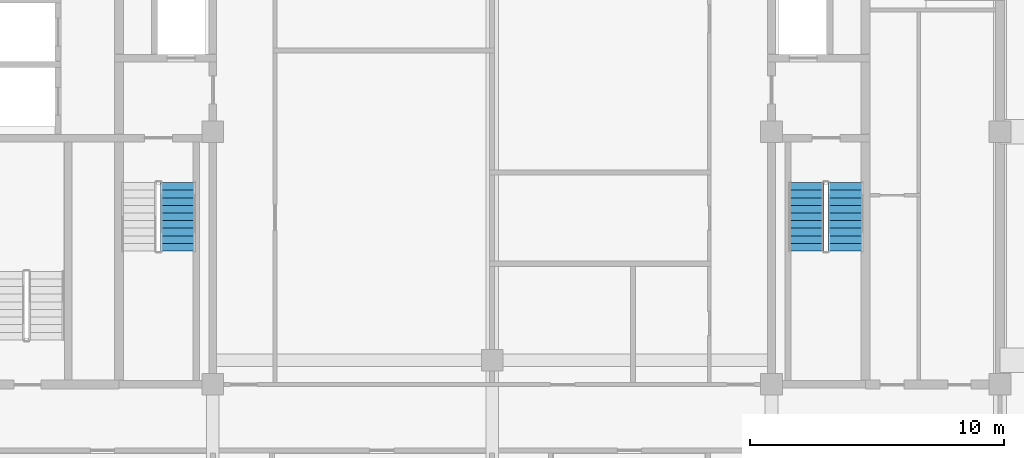
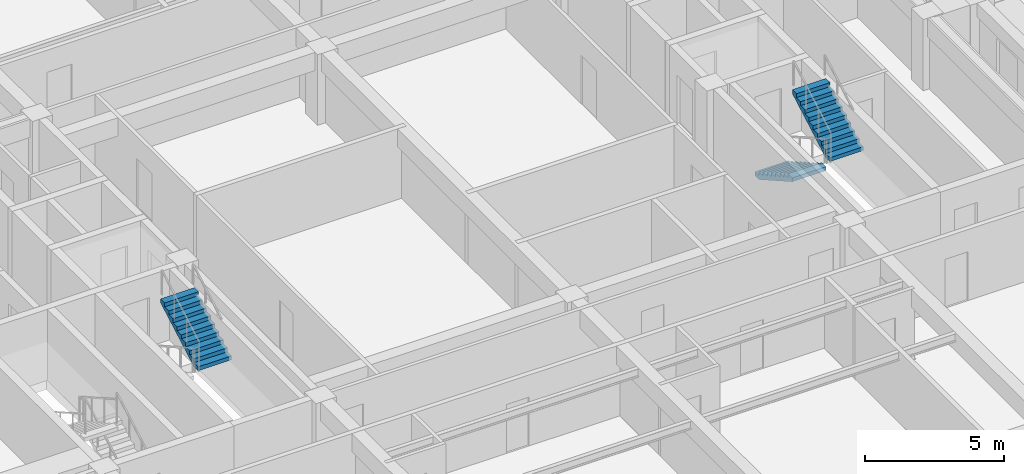
# One storey, part 11 of 18: 3 stair flights, 2 elements without a shape of their own.
"""IFC4 building model written with IfcOpenShell, lengths in metres."""

from ifc_helpers import new_model, si_unit, direction, frame, origin, place, context, subcontext, project, spatial, polyline, outline, extrude, material, layer, layer_set, type_object, element, aggregate, save


model = new_model("IFC4")

# Units and contexts
model_context = context("Model", 3, precision=1e-05, world=origin(), true_north=direction((0.0, 1.0)))
body_context = subcontext(model_context, "Body", "Model", "MODEL_VIEW")
ifc_project = project(units=[si_unit("LENGTHUNIT", "METRE"), si_unit("AREAUNIT", "SQUARE_METRE"), si_unit("VOLUMEUNIT", "CUBIC_METRE"), si_unit("PLANEANGLEUNIT", "RADIAN"), si_unit("MASSUNIT", "GRAM", prefix="KILO")], contexts=[model_context])

# Site, building, storey
site_placement = place(None, origin())
site = spatial("IfcSite", under=ifc_project, at=site_placement, CompositionType="ELEMENT")
building_placement = place(site_placement, origin())
building = spatial("IfcBuilding", under=site, at=building_placement, Name="Zulmaris Gate Convention Tower", CompositionType="ELEMENT")
storey_placement = place(building_placement, frame((0.0, 0.0, 191.4599609375)))
storey = spatial("IfcBuildingStorey", under=building, at=storey_placement, Name="L49", CompositionType="ELEMENT", Elevation=191.4599609375)

# Stair, stair flight
ifc_material = material(Name="Concrete C45/55", Category="concrete")
stair_type = type_object("IfcStairType", Name="ST-CORE-DOGLEG", PredefinedType="HALF_TURN_STAIR", material=ifc_material)
stair_1_placement = place(storey_placement, origin())
stair_1 = element("IfcStair", 1, at=stair_1_placement, inside=storey, type_object=stair_type, Name="L49 Core Exit Stair ST-1", PredefinedType="HALF_TURN_STAIR")
ifc_layer = layer(ifc_material, 0.14990234375, Name="Concrete C45/55")
ifc_layer_set = layer_set([ifc_layer], Name="Concrete C45/55")
stair_flight_type = type_object("IfcStairFlightType", Name="STF-RC150", PredefinedType="STRAIGHT", material=ifc_layer_set)
stair_flight_1_placement = place(storey_placement, frame((-12.360107421875, -4.699951171875, 1.699951171875), z_axis=(0.0, 0.0, 1.0), x_axis=(0.0, 1.0, 0.0)))
stair_flight_1 = element("IfcStairFlight", 2, at=stair_flight_1_placement, type_object=stair_flight_type, Name="ST-1 flight 2", NumberOfRisers=10, NumberOfTreads=9, PredefinedType="STRAIGHT", RiserHeight=0.169995, TreadLength=0.3, context=body_context, shape_type="SweptSolid", body=[
    extrude(outline(polyline([(0.0, 0.0), (0.0, 0.169921875), (0.300048828125, 0.169921875), (0.300048828125, 0.340087890625), (0.60009765625, 0.340087890625), (0.60009765625, 0.510009765625), (0.89990234375, 0.510009765625), (0.89990234375, 0.679931640625), (1.199951171875, 0.679931640625), (1.199951171875, 0.849853515625), (1.5, 0.849853515625), (1.5, 1.02001953125), (1.800048828125, 1.02001953125), (1.800048828125, 1.18994140625), (2.10009765625, 1.18994140625), (2.10009765625, 1.35986328125), (2.39990234375, 1.35986328125), (2.39990234375, 1.530029296875), (2.699951171875, 1.530029296875), (2.699951171875, 1.699951171875), (2.699951171875, 1.357666015625), (0.303955078125, 0.0), (0.0, 0.0)])), frame((0.0, 0.699951171875, 0.0), z_axis=(0.0, -1.0, 0.0), x_axis=(1.0, 0.0, 0.0)), (0.0, 0.0, 1.0), 1.39990234375),
])
aggregate(stair_1, [stair_flight_1])

# Stair, stair flights
stair_2_placement = place(storey_placement, origin())
stair_2 = element("IfcStair", 3, at=stair_2_placement, inside=storey, type_object=stair_type, Name="L49 Core Exit Stair ST-2", PredefinedType="HALF_TURN_STAIR")
stair_flight_2_placement = place(storey_placement, frame((12.360107421875, -2.0, 0.0), z_axis=(0.0, 0.0, 1.0), x_axis=(0.0, -1.0, 0.0)))
stair_flight_2 = element("IfcStairFlight", 4, at=stair_flight_2_placement, type_object=stair_flight_type, Name="ST-2 flight 1", NumberOfRisers=10, NumberOfTreads=9, PredefinedType="STRAIGHT", RiserHeight=0.169995, TreadLength=0.3, context=body_context, shape_type="SweptSolid", body=[
    extrude(outline(polyline([(0.0, 0.0), (0.0, 0.169921875), (0.300048828125, 0.169921875), (0.300048828125, 0.340087890625), (0.60009765625, 0.340087890625), (0.60009765625, 0.510009765625), (0.89990234375, 0.510009765625), (0.89990234375, 0.679931640625), (1.199951171875, 0.679931640625), (1.199951171875, 0.849853515625), (1.5, 0.849853515625), (1.5, 1.02001953125), (1.800048828125, 1.02001953125), (1.800048828125, 1.18994140625), (2.10009765625, 1.18994140625), (2.10009765625, 1.35986328125), (2.39990234375, 1.35986328125), (2.39990234375, 1.530029296875), (2.699951171875, 1.530029296875), (2.699951171875, 1.699951171875), (2.699951171875, 1.357666015625), (0.303955078125, 0.0), (0.0, 0.0)])), frame((0.0, 0.699951171875, 0.0), z_axis=(0.0, -1.0, 0.0), x_axis=(1.0, 0.0, 0.0)), (0.0, 0.0, 1.0), 1.39990234375),
])
stair_flight_3_placement = place(storey_placement, frame((13.919921875, -4.699951171875, 1.699951171875), z_axis=(0.0, 0.0, 1.0), x_axis=(0.0, 1.0, 0.0)))
stair_flight_3 = element("IfcStairFlight", 5, at=stair_flight_3_placement, type_object=stair_flight_type, Name="ST-2 flight 2", NumberOfRisers=10, NumberOfTreads=9, PredefinedType="STRAIGHT", RiserHeight=0.169995, TreadLength=0.3, context=body_context, shape_type="SweptSolid", body=[
    extrude(outline(polyline([(0.0, 0.0), (0.0, 0.169921875), (0.300048828125, 0.169921875), (0.300048828125, 0.340087890625), (0.60009765625, 0.340087890625), (0.60009765625, 0.510009765625), (0.89990234375, 0.510009765625), (0.89990234375, 0.679931640625), (1.199951171875, 0.679931640625), (1.199951171875, 0.849853515625), (1.5, 0.849853515625), (1.5, 1.02001953125), (1.800048828125, 1.02001953125), (1.800048828125, 1.18994140625), (2.10009765625, 1.18994140625), (2.10009765625, 1.35986328125), (2.39990234375, 1.35986328125), (2.39990234375, 1.530029296875), (2.699951171875, 1.530029296875), (2.699951171875, 1.699951171875), (2.699951171875, 1.357666015625), (0.303955078125, 0.0), (0.0, 0.0)])), frame((0.0, 0.699951171875, 0.0), z_axis=(0.0, -1.0, 0.0), x_axis=(1.0, 0.0, 0.0)), (0.0, 0.0, 1.0), 1.39990234375),
])
aggregate(stair_2, [stair_flight_2, stair_flight_3])

save(model, "model.ifc")
